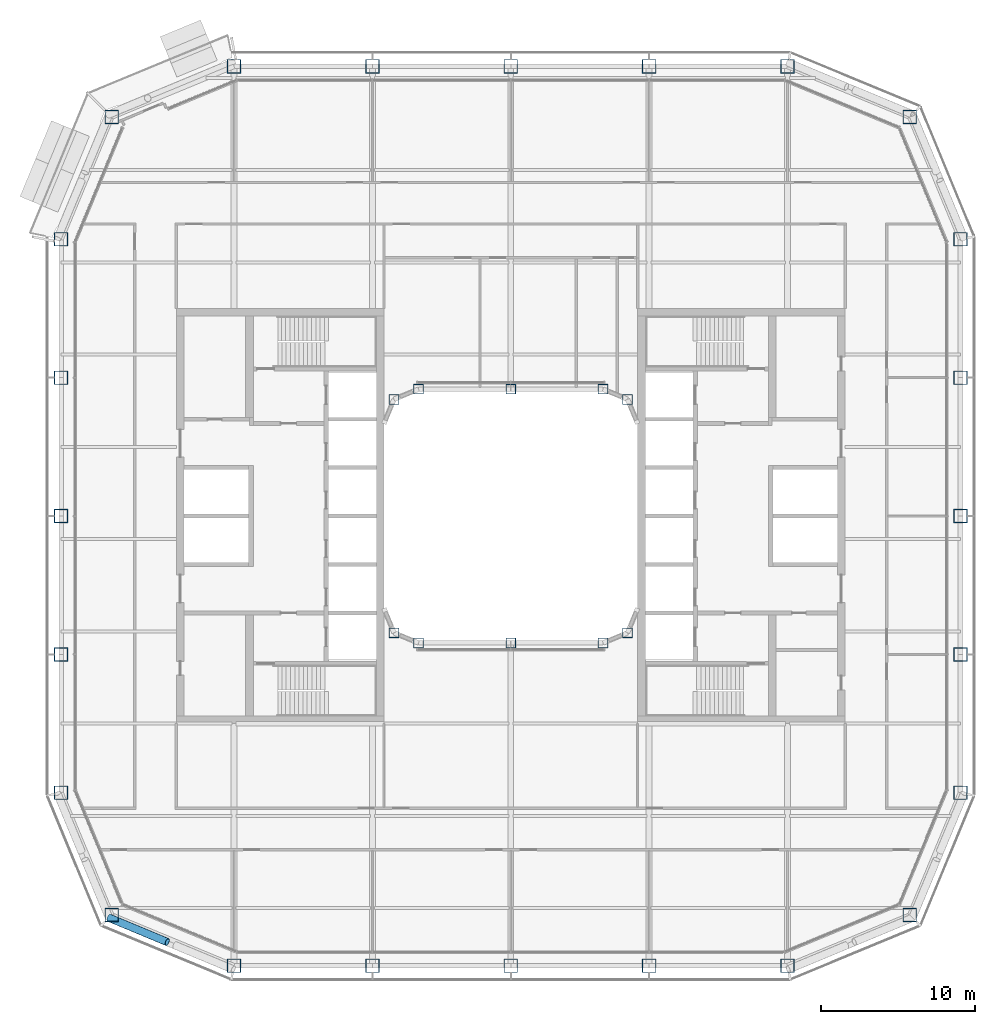
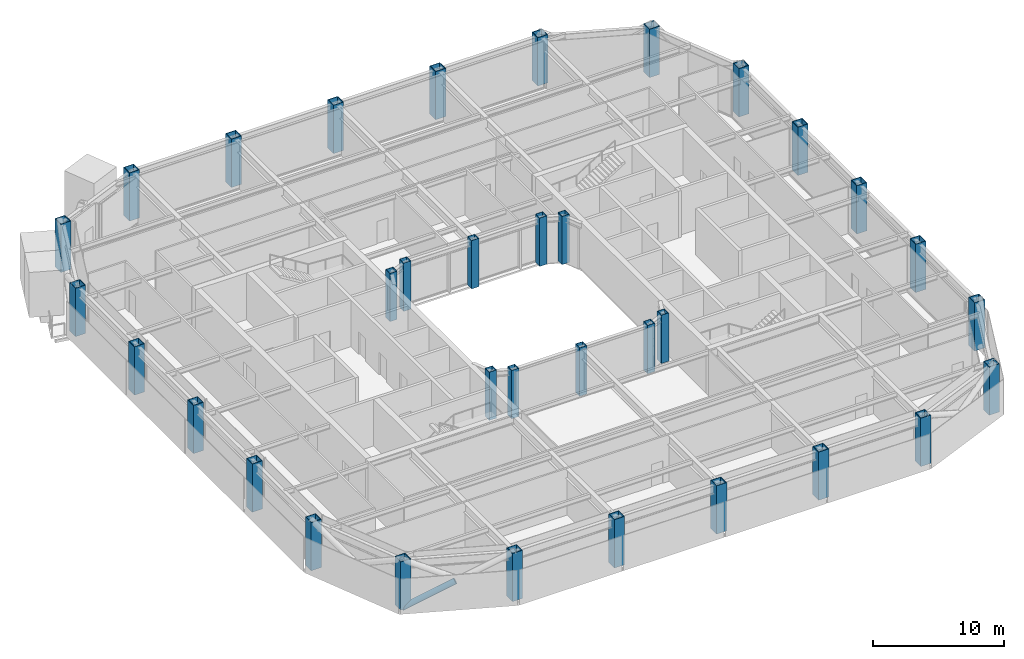
# One storey, part 1 of 23: 34 columns, 1 member.
"""IFC4 building model written with IfcOpenShell, lengths in metres."""

from ifc_helpers import new_model, si_unit, direction, frame, origin, origin_2d, place, context, subcontext, project, spatial, hollow_rectangle, hollow_circle, extrude, material, material_profile, profile_set, type_object, element, save


model = new_model("IFC4")

# Units and contexts
model_context = context("Model", 3, precision=1e-05, world=origin(), true_north=direction((0.0, 1.0)))
body_context = subcontext(model_context, "Body", "Model", "MODEL_VIEW")
ifc_project = project(units=[si_unit("LENGTHUNIT", "METRE"), si_unit("AREAUNIT", "SQUARE_METRE"), si_unit("VOLUMEUNIT", "CUBIC_METRE"), si_unit("PLANEANGLEUNIT", "RADIAN"), si_unit("MASSUNIT", "GRAM", prefix="KILO")], contexts=[model_context])

# Site, building, storey
site_placement = place(None, origin())
site = spatial("IfcSite", under=ifc_project, at=site_placement, CompositionType="ELEMENT")
building_placement = place(site_placement, origin())
building = spatial("IfcBuilding", under=site, at=building_placement, Name="Siwar Civic Tower", CompositionType="ELEMENT")
storey_placement = place(building_placement, frame((0.0, 0.0, 172.199951171875)))
storey = spatial("IfcBuildingStorey", under=building, at=storey_placement, Name="L37", CompositionType="ELEMENT", Elevation=172.199951171875)

# Columns
ifc_material_1 = material(Name="Steel S355", Category="steel")
ifc_material_profile_1 = material_profile(ifc_material_1, hollow_rectangle(XDim=0.89990234375, YDim=0.89990234375, WallThickness=0.050048828125, at=origin_2d()), Name="BOX900x900x50")
ifc_profile_set_1 = profile_set([ifc_material_profile_1], Name="Steel S355")
column_type_1 = type_object("IfcColumnType", Name="STR-COL-BOX900x900x50", PredefinedType="COLUMN", material=ifc_profile_set_1)
for number, where, z_axis, x_axis, name in (
    (1, (-18.0, -29.25, 0.0), (0.0, 0.0, 1.0), (1.0, 0.0, 0.0), "L37/col/S-0"),
    (2, (-9.0, -29.25, 0.0), (0.0, 0.0, 1.0), (1.0, 0.0, 0.0), "L37/col/S-1"),
    (3, (0.0, -29.25, 0.0), (0.0, 0.0, 1.0), (1.0, 0.0, 0.0), "L37/col/S-2"),
    (4, (9.0, -29.25, 0.0), (0.0, 0.0, 1.0), (1.0, 0.0, 0.0), "L37/col/S-3"),
    (5, (18.0, -29.25, 0.0), (0.0, 0.0, 1.0), (1.0, 0.0, 0.0), "L37/col/SE1-0"),
    (6, (25.954833984375, -25.954833984375, 0.0), (0.0, 0.0, 1.0), (1.0, 0.0, 0.0), "L37/col/SE2-0"),
    (7, (29.25, -18.0, 0.0), (0.0, 0.0, 1.0), (1.0, 0.0, 0.0), "L37/col/E-0"),
    (8, (29.25, -9.0, 0.0), (0.0, 0.0, 1.0), (1.0, 0.0, 0.0), "L37/col/E-1"),
    (9, (29.25, 0.0, 0.0), (0.0, 0.0, 1.0), (1.0, 0.0, 0.0), "L37/col/E-2"),
    (10, (29.25, 9.0, 0.0), (0.0, 0.0, 1.0), (1.0, 0.0, 0.0), "L37/col/E-3"),
    (11, (29.25, 18.0, 0.0), (0.0, 0.0, 1.0), (1.0, 0.0, 0.0), "L37/col/NE1-0"),
    (12, (25.954833984375, 25.954833984375, 0.0), (0.0, 0.0, 1.0), (1.0, 0.0, 0.0), "L37/col/NE2-0"),
    (13, (18.0, 29.25, 0.0), (0.0, 0.0, 1.0), (1.0, 0.0, 0.0), "L37/col/N-0"),
    (14, (9.0, 29.25, 0.0), (0.0, 0.0, 1.0), (1.0, 0.0, 0.0), "L37/col/N-1"),
    (15, (0.0, 29.25, 0.0), (0.0, 0.0, 1.0), (1.0, 0.0, 0.0), "L37/col/N-2"),
    (16, (-9.0, 29.25, 0.0), (0.0, 0.0, 1.0), (1.0, 0.0, 0.0), "L37/col/N-3"),
    (17, (-18.0, 29.25, 0.0), (0.0, 0.0, 1.0), (1.0, 0.0, 0.0), "L37/col/NW1-0"),
    (18, (-25.954833984375, 25.954833984375, 0.0), (0.0, 0.0, 1.0), (1.0, 0.0, 0.0), "L37/col/NW2-0"),
    (19, (-29.25, 18.0, 0.0), (0.0, 0.0, 1.0), (1.0, 0.0, 0.0), "L37/col/W-0"),
    (20, (-29.25, 9.0, 0.0), (0.0, 0.0, 1.0), (1.0, 0.0, 0.0), "L37/col/W-1"),
    (21, (-29.25, 0.0, 0.0), (0.0, 0.0, 1.0), (1.0, 0.0, 0.0), "L37/col/W-2"),
    (22, (-29.25, -9.0, 0.0), (0.0, 0.0, 1.0), (1.0, 0.0, 0.0), "L37/col/W-3"),
    (23, (-29.25, -18.0, 0.0), (0.0, 0.0, 1.0), (1.0, 0.0, 0.0), "L37/col/SW1-0"),
    (24, (-25.954833984375, -25.954833984375, 0.0), (0.0, 0.0, 1.0), (1.0, 0.0, 0.0), "L37/col/SW2-0"),
):
    element("IfcColumn", number, at=place(storey_placement, frame(where, z_axis=z_axis, x_axis=x_axis)), inside=storey, type_object=column_type_1, Name=name, PredefinedType="COLUMN", context=body_context, shape_type="SweptSolid", body=[
        extrude(hollow_rectangle(XDim=0.89990234375, YDim=0.89990234375, WallThickness=0.050048828125, at=origin_2d()), origin(), (0.0, 0.0, 1.0), 4.5),
    ])
ifc_material_2 = material(Name="Steel S355", Category="steel")
ifc_material_profile_2 = material_profile(ifc_material_2, hollow_rectangle(XDim=0.64990234375, YDim=0.64990234375, WallThickness=0.035888671875, at=origin_2d()), Name="BOX650x650x36")
ifc_profile_set_2 = profile_set([ifc_material_profile_2], Name="Steel S355")
column_type_2 = type_object("IfcColumnType", Name="STR-ICOL-BOX650x650x36", PredefinedType="COLUMN", material=ifc_profile_set_2)
for number, where, z_axis, x_axis, name in (
    (25, (-7.591064453125, -7.591064453125, 0.0), (0.0, 0.0, 1.0), (1.0, 0.0, 0.0), "L37/col/IS-0"),
    (26, (-6.0, -8.25, 0.0), (0.0, 0.0, 1.0), (1.0, 0.0, 0.0), "L37/col/IS-1"),
    (27, (0.0, -8.25, 0.0), (0.0, 0.0, 1.0), (1.0, 0.0, 0.0), "L37/col/IS-2"),
    (28, (6.0, -8.25, 0.0), (0.0, 0.0, 1.0), (1.0, 0.0, 0.0), "L37/col/IS-3"),
    (29, (7.591064453125, -7.591064453125, 0.0), (0.0, 0.0, 1.0), (1.0, 0.0, 0.0), "L37/col/IS-4"),
    (30, (-7.591064453125, 7.591064453125, 0.0), (0.0, 0.0, 1.0), (1.0, 0.0, 0.0), "L37/col/IN-0"),
    (31, (-6.0, 8.25, 0.0), (0.0, 0.0, 1.0), (1.0, 0.0, 0.0), "L37/col/IN-1"),
    (32, (0.0, 8.25, 0.0), (0.0, 0.0, 1.0), (1.0, 0.0, 0.0), "L37/col/IN-2"),
    (33, (6.0, 8.25, 0.0), (0.0, 0.0, 1.0), (1.0, 0.0, 0.0), "L37/col/IN-3"),
    (34, (7.591064453125, 7.591064453125, 0.0), (0.0, 0.0, 1.0), (1.0, 0.0, 0.0), "L37/col/IN-4"),
):
    element("IfcColumn", number, at=place(storey_placement, frame(where, z_axis=z_axis, x_axis=x_axis)), inside=storey, type_object=column_type_2, Name=name, PredefinedType="COLUMN", context=body_context, shape_type="SweptSolid", body=[
        extrude(hollow_rectangle(XDim=0.64990234375, YDim=0.64990234375, WallThickness=0.035888671875, at=origin_2d()), origin(), (0.0, 0.0, 1.0), 4.5),
    ])

# Member
ifc_material_3 = material(Name="Steel S355", Category="steel")
ifc_material_profile_3 = material_profile(ifc_material_3, hollow_circle(Radius=0.25390625, WallThickness=0.02490234375, at=origin_2d()), Name="CHS508x25")
ifc_profile_set_3 = profile_set([ifc_material_profile_3], Name="Steel S355")
member_type = type_object("IfcMemberType", Name="STR-BR-CHS508x25", PredefinedType="BRACE", material=ifc_profile_set_3)
member_placement = place(storey_placement, frame((-26.1318359375, -26.1318359375, 0.0), z_axis=(0.821143275065, -0.341662474736, 0.457154760636), x_axis=(0.384154943021, 0.923268638995, 0.0)))
element("IfcMember", 35, at=member_placement, inside=storey, type_object=member_type, Name="L37/brc/BSW1-16-0-2", PredefinedType="BRACE", context=body_context, shape_type="SweptSolid", body=[
    extrude(hollow_circle(Radius=0.25390625, WallThickness=0.02490234375, at=origin_2d()), origin(), (0.0, 0.0, 1.0), 4.61474609375),
])

save(model, "model.ifc")
